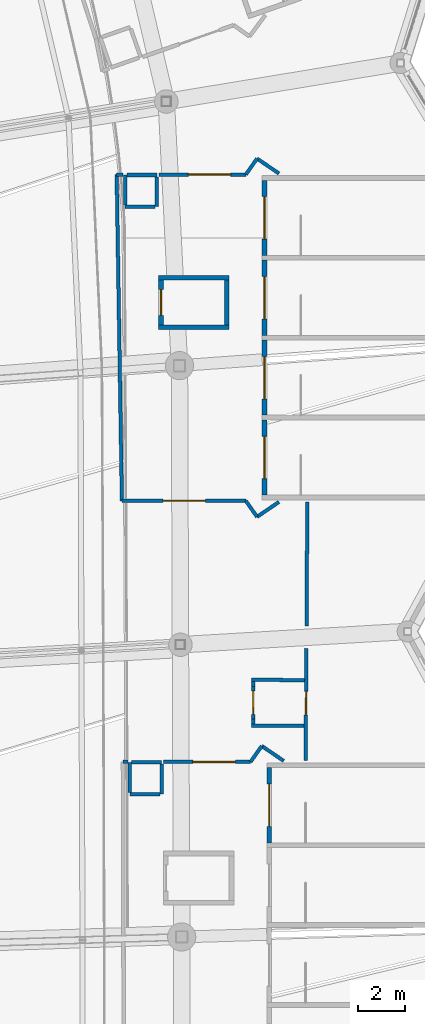
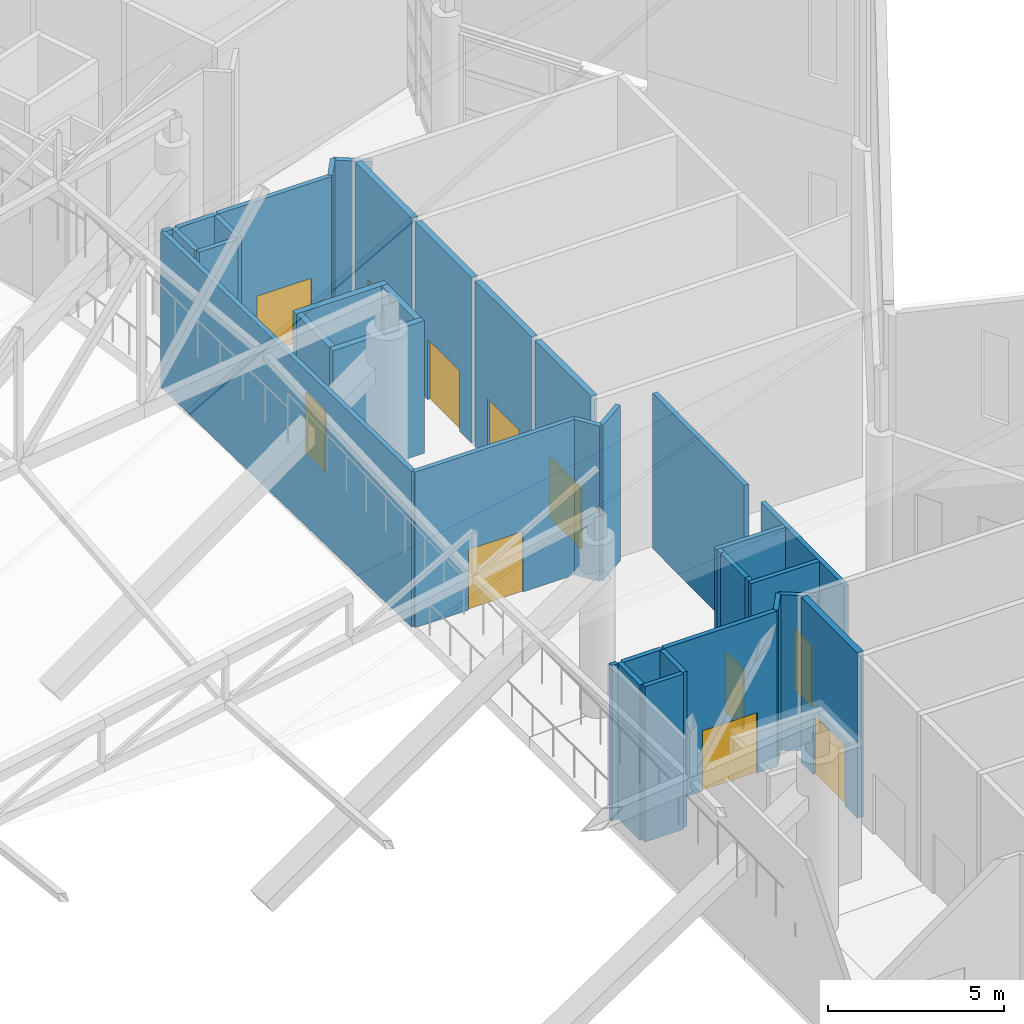
# One storey, part 269 of 344: 36 walls, 11 doors, 11 openings.
"""IFC4 building model written with IfcOpenShell, lengths in metres."""

from ifc_helpers import new_model, si_unit, direction, frame, frame_2d, origin, place, context, subcontext, project, spatial, rectangle, extrude, material, layer, layer_set, type_object, element, fill, save


model = new_model("IFC4")

# Units and contexts
model_context = context("Model", 3, precision=1e-05, world=origin(), true_north=direction((0.0, 1.0)))
body_context = subcontext(model_context, "Body", "Model", "MODEL_VIEW")
ifc_project = project(units=[si_unit("LENGTHUNIT", "METRE"), si_unit("AREAUNIT", "SQUARE_METRE"), si_unit("VOLUMEUNIT", "CUBIC_METRE"), si_unit("PLANEANGLEUNIT", "RADIAN"), si_unit("MASSUNIT", "GRAM", prefix="KILO")], contexts=[model_context])

# Site, building, storey
site_placement = place(None, origin())
site = spatial("IfcSite", under=ifc_project, at=site_placement, CompositionType="ELEMENT")
building_placement = place(site_placement, origin())
building = spatial("IfcBuilding", under=site, at=building_placement, Name="Meseta Stadium", CompositionType="ELEMENT")
storey_placement = place(building_placement, frame((0.0, 0.0, 24.0)))
storey = spatial("IfcBuildingStorey", under=building, at=storey_placement, Name="L04", CompositionType="ELEMENT", Elevation=24.0)

# Wall, opening, door
ifc_material_1 = material(Name="Concrete C40/50", Category="concrete")
ifc_layer_1 = layer(ifc_material_1, 0.199951171875)
ifc_layer_set_1 = layer_set([ifc_layer_1], Name="Core shaft wall 200")
wall_type_1 = type_object("IfcWallType", Name="Core shaft wall 200", PredefinedType="SHEAR", material=ifc_layer_set_1)
wall_1_placement = place(storey_placement, frame((88.699951171875, 22.25, 0.0), z_axis=(0.0, 0.0, 1.0), x_axis=(0.0, 1.0, 0.0)))
wall_1 = element("IfcWall", 1, at=wall_1_placement, inside=storey, type_object=wall_type_1, Name="Core 04 L04 stair B2 inner end wall", PredefinedType="SHEAR", context=body_context, shape_type="SweptSolid", body=[
    extrude(rectangle(XDim=3.199951171875, YDim=0.199951171875, at=frame_2d((1.60009765625, 0.0))), origin(), (0.0, 0.0, 1.0), 5.75),
])
opening_1_placement = place(wall_1_placement, frame((0.699951171875, 0.0, 0.0)))
opening_1 = element("IfcOpeningElement", 2, at=opening_1_placement, cuts=wall_1, Name="Opening D1675", PredefinedType="OPENING", context=body_context, shape_type="SweptSolid", body=[
    extrude(rectangle(XDim=1.800048828125, YDim=2.10009765625, at=frame_2d((0.89990234375, 1.050048828125))), frame((0.0, 0.10986328125, 0.0), z_axis=(0.0, -1.0, 0.0), x_axis=(1.0, 0.0, 0.0)), (0.0, 0.0, 1.0), 0.219970703125),
])
ifc_material_2 = material(Name="Steel", Category="steel")
door_type_1 = type_object("IfcDoorType", Name="Stair door 1800x2100", OperationType="DOUBLE_DOOR_SINGLE_SWING", PredefinedType="DOOR", material=ifc_material_2)
door_1_placement = place(opening_1_placement, origin())
door_1 = element("IfcDoor", 3, at=door_1_placement, inside=storey, type_object=door_type_1, Name="Stair B2 door 04 L04", OperationType="DOUBLE_DOOR_SINGLE_SWING", OverallHeight=2.10009765625, OverallWidth=1.800048828125, PredefinedType="DOOR", context=body_context, shape_type="SweptSolid", body=[
    extrude(rectangle(XDim=1.800048828125, YDim=2.10009765625, at=frame_2d((0.89990234375, 1.050048828125))), frame((0.0, 0.02490234375, 0.0), z_axis=(0.0, -1.0, 0.0), x_axis=(1.0, 0.0, 0.0)), (0.0, 0.0, 1.0), 0.050048828125),
])
fill(opening_1, door_1)

wall_2_placement = place(storey_placement, frame((88.5, 37.050048828125, 0.0), z_axis=(0.0, 0.0, 1.0), x_axis=(0.0, 1.0, 0.0)))
wall_2 = element("IfcWall", 4, at=wall_2_placement, inside=storey, type_object=wall_type_1, Name="Core 05 L04 stair A1 inner end wall", PredefinedType="SHEAR", context=body_context, shape_type="SweptSolid", body=[
    extrude(rectangle(XDim=3.199951171875, YDim=0.199951171875, at=frame_2d((1.60009765625, 0.0))), origin(), (0.0, 0.0, 1.0), 5.75),
])
opening_2_placement = place(wall_2_placement, frame((0.699951171875, 0.0, 0.0)))
opening_2 = element("IfcOpeningElement", 5, at=opening_2_placement, cuts=wall_2, Name="Opening D1660", PredefinedType="OPENING", context=body_context, shape_type="SweptSolid", body=[
    extrude(rectangle(XDim=1.800048828125, YDim=2.10009765625, at=frame_2d((0.89990234375, 1.050048828125))), frame((0.0, 0.10986328125, 0.0), z_axis=(0.0, -1.0, 0.0), x_axis=(1.0, 0.0, 0.0)), (0.0, 0.0, 1.0), 0.219970703125),
])
door_2_placement = place(opening_2_placement, origin())
door_2 = element("IfcDoor", 6, at=door_2_placement, inside=storey, type_object=door_type_1, Name="Stair A1 door 05 L04", OperationType="DOUBLE_DOOR_SINGLE_SWING", OverallHeight=2.10009765625, OverallWidth=1.800048828125, PredefinedType="DOOR", context=body_context, shape_type="SweptSolid", body=[
    extrude(rectangle(XDim=1.800048828125, YDim=2.10009765625, at=frame_2d((0.89990234375, 1.050048828125))), frame((0.0, 0.02490234375, 0.0), z_axis=(0.0, -1.0, 0.0), x_axis=(1.0, 0.0, 0.0)), (0.0, 0.0, 1.0), 0.050048828125),
])
fill(opening_2, door_2)

wall_3_placement = place(storey_placement, frame((88.5, 40.449951171875, 0.0), z_axis=(0.0, 0.0, 1.0), x_axis=(0.0, 1.0, 0.0)))
wall_3 = element("IfcWall", 7, at=wall_3_placement, inside=storey, type_object=wall_type_1, Name="Core 05 L04 stair A2 inner end wall", PredefinedType="SHEAR", context=body_context, shape_type="SweptSolid", body=[
    extrude(rectangle(XDim=3.199951171875, YDim=0.199951171875, at=frame_2d((1.60009765625, 0.0))), origin(), (0.0, 0.0, 1.0), 5.75),
])
opening_3_placement = place(wall_3_placement, frame((0.699951171875, 0.0, 0.0)))
opening_3 = element("IfcOpeningElement", 8, at=opening_3_placement, cuts=wall_3, Name="Opening D1661", PredefinedType="OPENING", context=body_context, shape_type="SweptSolid", body=[
    extrude(rectangle(XDim=1.800048828125, YDim=2.10009765625, at=frame_2d((0.89990234375, 1.050048828125))), frame((0.0, 0.10986328125, 0.0), z_axis=(0.0, -1.0, 0.0), x_axis=(1.0, 0.0, 0.0)), (0.0, 0.0, 1.0), 0.219970703125),
])
door_3_placement = place(opening_3_placement, origin())
door_3 = element("IfcDoor", 9, at=door_3_placement, inside=storey, type_object=door_type_1, Name="Stair A2 door 05 L04", OperationType="DOUBLE_DOOR_SINGLE_SWING", OverallHeight=2.10009765625, OverallWidth=1.800048828125, PredefinedType="DOOR", context=body_context, shape_type="SweptSolid", body=[
    extrude(rectangle(XDim=1.800048828125, YDim=2.10009765625, at=frame_2d((0.89990234375, 1.050048828125))), frame((0.0, 0.02490234375, 0.0), z_axis=(0.0, -1.0, 0.0), x_axis=(1.0, 0.0, 0.0)), (0.0, 0.0, 1.0), 0.050048828125),
])
fill(opening_3, door_3)

wall_4_placement = place(storey_placement, frame((88.5, 43.85009765625, 0.0), z_axis=(0.0, 0.0, 1.0), x_axis=(0.0, 1.0, 0.0)))
wall_4 = element("IfcWall", 10, at=wall_4_placement, inside=storey, type_object=wall_type_1, Name="Core 05 L04 stair B1 inner end wall", PredefinedType="SHEAR", context=body_context, shape_type="SweptSolid", body=[
    extrude(rectangle(XDim=3.199951171875, YDim=0.199951171875, at=frame_2d((1.60009765625, 0.0))), origin(), (0.0, 0.0, 1.0), 5.75),
])
opening_4_placement = place(wall_4_placement, frame((0.699951171875, 0.0, 0.0)))
opening_4 = element("IfcOpeningElement", 11, at=opening_4_placement, cuts=wall_4, Name="Opening D1662", PredefinedType="OPENING", context=body_context, shape_type="SweptSolid", body=[
    extrude(rectangle(XDim=1.800048828125, YDim=2.10009765625, at=frame_2d((0.89990234375, 1.050048828125))), frame((0.0, 0.10986328125, 0.0), z_axis=(0.0, -1.0, 0.0), x_axis=(1.0, 0.0, 0.0)), (0.0, 0.0, 1.0), 0.219970703125),
])
door_4_placement = place(opening_4_placement, origin())
door_4 = element("IfcDoor", 12, at=door_4_placement, inside=storey, type_object=door_type_1, Name="Stair B1 door 05 L04", OperationType="DOUBLE_DOOR_SINGLE_SWING", OverallHeight=2.10009765625, OverallWidth=1.800048828125, PredefinedType="DOOR", context=body_context, shape_type="SweptSolid", body=[
    extrude(rectangle(XDim=1.800048828125, YDim=2.10009765625, at=frame_2d((0.89990234375, 1.050048828125))), frame((0.0, 0.02490234375, 0.0), z_axis=(0.0, -1.0, 0.0), x_axis=(1.0, 0.0, 0.0)), (0.0, 0.0, 1.0), 0.050048828125),
])
fill(opening_4, door_4)

wall_5_placement = place(storey_placement, frame((88.5, 47.25, 0.0), z_axis=(0.0, 0.0, 1.0), x_axis=(0.0, 1.0, 0.0)))
wall_5 = element("IfcWall", 13, at=wall_5_placement, inside=storey, type_object=wall_type_1, Name="Core 05 L04 stair B2 inner end wall", PredefinedType="SHEAR", context=body_context, shape_type="SweptSolid", body=[
    extrude(rectangle(XDim=3.199951171875, YDim=0.199951171875, at=frame_2d((1.60009765625, 0.0))), origin(), (0.0, 0.0, 1.0), 5.75),
])
opening_5_placement = place(wall_5_placement, frame((0.699951171875, 0.0, 0.0)))
opening_5 = element("IfcOpeningElement", 14, at=opening_5_placement, cuts=wall_5, Name="Opening D1663", PredefinedType="OPENING", context=body_context, shape_type="SweptSolid", body=[
    extrude(rectangle(XDim=1.800048828125, YDim=2.10009765625, at=frame_2d((0.89990234375, 1.050048828125))), frame((0.0, 0.10986328125, 0.0), z_axis=(0.0, -1.0, 0.0), x_axis=(1.0, 0.0, 0.0)), (0.0, 0.0, 1.0), 0.219970703125),
])
door_5_placement = place(opening_5_placement, origin())
door_5 = element("IfcDoor", 15, at=door_5_placement, inside=storey, type_object=door_type_1, Name="Stair B2 door 05 L04", OperationType="DOUBLE_DOOR_SINGLE_SWING", OverallHeight=2.10009765625, OverallWidth=1.800048828125, PredefinedType="DOOR", context=body_context, shape_type="SweptSolid", body=[
    extrude(rectangle(XDim=1.800048828125, YDim=2.10009765625, at=frame_2d((0.89990234375, 1.050048828125))), frame((0.0, 0.02490234375, 0.0), z_axis=(0.0, -1.0, 0.0), x_axis=(1.0, 0.0, 0.0)), (0.0, 0.0, 1.0), 0.050048828125),
])
fill(opening_5, door_5)

# Walls
for number, where, z_axis, x_axis, name in (
    (16, (87.0, 44.199951171875, 0.0), (0.0, 0.0, 1.0), (-1.0, 0.0, 0.0), "Core 05 L04 lift shaft wall left"),
    (17, (87.0, 46.300048828125, 0.0), (0.0, 0.0, 1.0), (-1.0, 0.0, 0.0), "Core 05 L04 lift shaft wall right"),
):
    element("IfcWall", number, at=place(storey_placement, frame(where, z_axis=z_axis, x_axis=x_axis)), inside=storey, type_object=wall_type_1, Name=name, PredefinedType="SHEAR", context=body_context, shape_type="SweptSolid", body=[
        extrude(rectangle(XDim=3.0, YDim=0.199951171875, at=frame_2d((1.5, 0.0))), origin(), (0.0, 0.0, 1.0), 4.60009765625),
    ])
wall_6_placement = place(storey_placement, frame((86.89990234375, 44.300048828125, 0.0), z_axis=(0.0, 0.0, 1.0), x_axis=(0.0, 1.0, 0.0)))
element("IfcWall", 18, at=wall_6_placement, inside=storey, type_object=wall_type_1, Name="Core 05 L04 lift shaft back wall", PredefinedType="SHEAR", context=body_context, shape_type="SweptSolid", body=[
    extrude(rectangle(XDim=1.89990234375, YDim=0.199951171875, at=frame_2d((0.949951171875, 0.0))), origin(), (0.0, 0.0, 1.0), 4.60009765625),
])

# Wall, opening, door
wall_7_placement = place(storey_placement, frame((84.10009765625, 44.300048828125, 0.0), z_axis=(0.0, 0.0, 1.0), x_axis=(0.0, 1.0, 0.0)))
wall_7 = element("IfcWall", 19, at=wall_7_placement, inside=storey, type_object=wall_type_1, Name="Core 05 L04 lift shaft front wall", PredefinedType="SHEAR", context=body_context, shape_type="SweptSolid", body=[
    extrude(rectangle(XDim=1.89990234375, YDim=0.199951171875, at=frame_2d((0.949951171875, 0.0))), origin(), (0.0, 0.0, 1.0), 4.60009765625),
])
opening_6_placement = place(wall_7_placement, frame((0.39990234375, 0.0, 0.0)))
opening_6 = element("IfcOpeningElement", 20, at=opening_6_placement, cuts=wall_7, Name="Opening LD30", PredefinedType="OPENING", context=body_context, shape_type="SweptSolid", body=[
    extrude(rectangle(XDim=1.10009765625, YDim=2.10009765625, at=frame_2d((0.550048828125, 1.050048828125))), frame((0.0, 0.10986328125, 0.0), z_axis=(0.0, -1.0, 0.0), x_axis=(1.0, 0.0, 0.0)), (0.0, 0.0, 1.0), 0.219970703125),
])
ifc_material_3 = material(Name="Steel", Category="steel")
door_type_2 = type_object("IfcDoorType", Name="Lift landing door 1100x2100", OperationType="SLIDING_TO_LEFT", PredefinedType="DOOR", material=ifc_material_3)
door_6_placement = place(opening_6_placement, origin())
door_6 = element("IfcDoor", 21, at=door_6_placement, inside=storey, type_object=door_type_2, Name="Lift landing door LD30", OperationType="SLIDING_TO_RIGHT", OverallHeight=2.10009765625, OverallWidth=1.10009765625, PredefinedType="DOOR", context=body_context, shape_type="SweptSolid", body=[
    extrude(rectangle(XDim=1.10009765625, YDim=2.10009765625, at=frame_2d((0.550048828125, 1.050048828125))), frame((0.0, 0.02490234375, 0.0), z_axis=(0.0, -1.0, 0.0), x_axis=(1.0, 0.0, 0.0)), (0.0, 0.0, 1.0), 0.050048828125),
])
fill(opening_6, door_6)

ifc_material_4 = material(Name="Masonry blockwork", Category="masonry")
ifc_layer_2 = layer(ifc_material_4, 0.14990234375)
ifc_layer_set_2 = layer_set([ifc_layer_2], Name="Partition 150")
wall_type_2 = type_object("IfcWallType", Name="Partition 150", PredefinedType="PARTITIONING", material=ifc_layer_set_2)
wall_8_placement = place(storey_placement, frame((90.25634765625, 25.75, 0.0), z_axis=(0.0, 0.0, 1.0), x_axis=(0.006329633282, 0.999979967671, 0.0)))
wall_8 = element("IfcWall", 22, at=wall_8_placement, inside=storey, type_object=wall_type_2, Name="Partition L04 L04-cell03-1-0", PredefinedType="PARTITIONING", context=body_context, shape_type="SweptSolid", body=[
    extrude(rectangle(XDim=4.78271484375, YDim=0.14990234375, at=frame_2d((2.391357421875, 0.0))), origin(), (0.0, 0.0, 1.0), 5.39990234375),
])
opening_7_placement = place(wall_8_placement, frame((1.949951171875, 0.0, 0.0)))
opening_7 = element("IfcOpeningElement", 23, at=opening_7_placement, cuts=wall_8, Name="Opening D1676", PredefinedType="OPENING", context=body_context, shape_type="SweptSolid", body=[
    extrude(rectangle(XDim=1.0, YDim=2.10009765625, at=frame_2d((0.5, 1.050048828125))), frame((0.0, 0.0849609375, 0.0), z_axis=(0.0, -1.0, 0.0), x_axis=(1.0, 0.0, 0.0)), (0.0, 0.0, 1.0), 0.169921875),
])
ifc_material_5 = material(Name="Steel", Category="steel")
door_type_3 = type_object("IfcDoorType", Name="Fire door 1000x2100 EI2 60", OperationType="NOTDEFINED", PredefinedType="DOOR", material=ifc_material_5)
door_7_placement = place(opening_7_placement, origin())
door_7 = element("IfcDoor", 24, at=door_7_placement, inside=storey, type_object=door_type_3, Name="Room door L04 L04-cell03-1-0", OperationType="SINGLE_SWING_LEFT", OverallHeight=2.10009765625, OverallWidth=1.0, PredefinedType="DOOR", context=body_context, shape_type="SweptSolid", body=[
    extrude(rectangle(XDim=1.0, YDim=2.10009765625, at=frame_2d((0.5, 1.050048828125))), frame((0.0, 0.02490234375, 0.0), z_axis=(0.0, -1.0, 0.0), x_axis=(1.0, 0.0, 0.0)), (0.0, 0.0, 1.0), 0.050048828125),
])
fill(opening_7, door_7)

# Walls
wall_9_placement = place(storey_placement, frame((90.29248046875, 31.489013671875, 0.0), z_axis=(0.0, 0.0, 1.0), x_axis=(0.006357475121, 0.999979791051, 0.0)))
element("IfcWall", 25, at=wall_9_placement, inside=storey, type_object=wall_type_2, Name="Partition L04 L04-cell03-1-0", PredefinedType="PARTITIONING", context=body_context, shape_type="SweptSolid", body=[
    extrude(rectangle(XDim=5.260986328125, YDim=0.14990234375, at=frame_2d((2.63037109375, 0.0))), origin(), (0.0, 0.0, 1.0), 5.39990234375),
])
wall_10_placement = place(storey_placement, frame((84.125, 24.324951171875, 0.0), z_axis=(0.0, 0.0, 1.0), x_axis=(0.0, 1.0, 0.0)))
element("IfcWall", 26, at=wall_10_placement, inside=storey, type_object=wall_type_2, Name="Pressurisation shaft wall L04 core 04", PredefinedType="PARTITIONING", context=body_context, shape_type="SweptSolid", body=[
    extrude(rectangle(XDim=1.275146484375, YDim=0.14990234375, at=frame_2d((0.6376953125, 0.0))), origin(), (0.0, 0.0, 1.0), 5.39990234375),
])
wall_11_placement = place(storey_placement, frame((84.125, 25.675048828125, 0.0), z_axis=(0.0, 0.0, 1.0), x_axis=(-1.0, 0.0, 0.0)))
element("IfcWall", 27, at=wall_11_placement, inside=storey, type_object=wall_type_2, Name="Pressurisation shaft wall L04 core 04", PredefinedType="PARTITIONING", context=body_context, shape_type="SweptSolid", body=[
    extrude(rectangle(XDim=1.27490234375, YDim=0.14990234375, at=frame_2d((0.637451171875, 0.0))), origin(), (0.0, 0.0, 1.0), 5.39990234375),
])
for number, where, z_axis, x_axis, name in (
    (28, (82.77490234375, 25.675048828125, 0.0), (0.0, 0.0, 1.0), (0.0, -1.0, 0.0), "Pressurisation shaft wall L04 core 04"),
    (29, (82.77490234375, 24.324951171875, 0.0), (0.0, 0.0, 1.0), (1.0, 0.0, 0.0), "Pressurisation shaft wall L04 core 04"),
):
    element("IfcWall", number, at=place(storey_placement, frame(where, z_axis=z_axis, x_axis=x_axis)), inside=storey, type_object=wall_type_2, Name=name, PredefinedType="PARTITIONING", context=body_context, shape_type="SweptSolid", body=[
        extrude(rectangle(XDim=1.275146484375, YDim=0.14990234375, at=frame_2d((0.6376953125, 0.0))), origin(), (0.0, 0.0, 1.0), 5.39990234375),
    ])
wall_12_placement = place(storey_placement, frame((89.319580078125, 25.739501953125, 0.0), z_axis=(0.0, 0.0, 1.0), x_axis=(-0.827055308354, 0.562120553728, 0.0)))
element("IfcWall", 30, at=wall_12_placement, inside=storey, type_object=wall_type_2, Name="Stair vestibule wall L04 core 04", PredefinedType="PARTITIONING", context=body_context, shape_type="SweptSolid", body=[
    extrude(rectangle(XDim=1.1279296875, YDim=0.14990234375, at=frame_2d((0.56396484375, 0.0))), origin(), (0.0, 0.0, 1.0), 5.39990234375),
])
wall_13_placement = place(storey_placement, frame((88.38671875, 26.37353515625, 0.0), z_axis=(0.0, 0.0, 1.0), x_axis=(-0.575376756214, -0.817888493872, 0.0)))
element("IfcWall", 31, at=wall_13_placement, inside=storey, type_object=wall_type_2, Name="Stair vestibule wall L04 core 04", PredefinedType="PARTITIONING", context=body_context, shape_type="SweptSolid", body=[
    extrude(rectangle(XDim=0.82958984375, YDim=0.14990234375, at=frame_2d((0.414794921875, 0.0))), origin(), (0.0, 0.0, 1.0), 5.39990234375),
])

# Wall, opening, door
wall_14_placement = place(storey_placement, frame((87.909423828125, 25.695068359375, 0.0), z_axis=(0.0, 0.0, 1.0), x_axis=(-1.0, 0.0, 0.0)))
wall_14 = element("IfcWall", 32, at=wall_14_placement, inside=storey, type_object=wall_type_2, Name="Stair vestibule wall L04 core 04", PredefinedType="PARTITIONING", context=body_context, shape_type="SweptSolid", body=[
    extrude(rectangle(XDim=3.70361328125, YDim=0.14990234375, at=frame_2d((1.851806640625, 0.0))), origin(), (0.0, 0.0, 1.0), 5.39990234375),
])
opening_8_placement = place(wall_14_placement, frame((0.64990234375, 0.0, 0.0)))
opening_8 = element("IfcOpeningElement", 33, at=opening_8_placement, cuts=wall_14, Name="Opening D1651", PredefinedType="OPENING", context=body_context, shape_type="SweptSolid", body=[
    extrude(rectangle(XDim=1.800048828125, YDim=2.10009765625, at=frame_2d((0.89990234375, 1.050048828125))), frame((0.0, 0.0849609375, 0.0), z_axis=(0.0, -1.0, 0.0), x_axis=(1.0, 0.0, 0.0)), (0.0, 0.0, 1.0), 0.169921875),
])
ifc_material_6 = material(Name="Steel", Category="steel")
door_type_4 = type_object("IfcDoorType", Name="Fire double door 1800x2100 EI2 60", OperationType="DOUBLE_DOOR_SINGLE_SWING", PredefinedType="DOOR", material=ifc_material_6)
door_8_placement = place(opening_8_placement, origin())
door_8 = element("IfcDoor", 34, at=door_8_placement, inside=storey, type_object=door_type_4, Name="Stair vestibule door L04 core 04", OperationType="DOUBLE_DOOR_SINGLE_SWING", OverallHeight=2.10009765625, OverallWidth=1.800048828125, PredefinedType="DOOR", context=body_context, shape_type="SweptSolid", body=[
    extrude(rectangle(XDim=1.800048828125, YDim=2.10009765625, at=frame_2d((0.89990234375, 1.050048828125))), frame((0.0, 0.02490234375, 0.0), z_axis=(0.0, -1.0, 0.0), x_axis=(1.0, 0.0, 0.0)), (0.0, 0.0, 1.0), 0.050048828125),
])
fill(opening_8, door_8)

# Walls
wall_15_placement = place(storey_placement, frame((82.68994140625, 25.695068359375, 0.0), z_axis=(0.0, 0.0, 1.0), x_axis=(-1.0, 0.0, 0.0)))
element("IfcWall", 35, at=wall_15_placement, inside=storey, type_object=wall_type_2, Name="Stair vestibule wall L04 core 04", PredefinedType="PARTITIONING", context=body_context, shape_type="SweptSolid", body=[
    extrude(rectangle(XDim=0.20947265625, YDim=0.14990234375, at=frame_2d((0.104736328125, 0.0))), origin(), (0.0, 0.0, 1.0), 5.39990234375),
])
for number, where, z_axis, x_axis, name in (
    (36, (83.925048828125, 49.324951171875, 0.0), (0.0, 0.0, 1.0), (0.0, 1.0, 0.0), "Pressurisation shaft wall L04 core 05"),
    (37, (83.925048828125, 50.675048828125, 0.0), (0.0, 0.0, 1.0), (-1.0, 0.0, 0.0), "Pressurisation shaft wall L04 core 05"),
    (38, (82.574951171875, 50.675048828125, 0.0), (0.0, 0.0, 1.0), (0.0, -1.0, 0.0), "Pressurisation shaft wall L04 core 05"),
    (39, (82.574951171875, 49.324951171875, 0.0), (0.0, 0.0, 1.0), (1.0, 0.0, 0.0), "Pressurisation shaft wall L04 core 05"),
):
    element("IfcWall", number, at=place(storey_placement, frame(where, z_axis=z_axis, x_axis=x_axis)), inside=storey, type_object=wall_type_2, Name=name, PredefinedType="PARTITIONING", context=body_context, shape_type="SweptSolid", body=[
        extrude(rectangle(XDim=1.275146484375, YDim=0.14990234375, at=frame_2d((0.6376953125, 0.0))), origin(), (0.0, 0.0, 1.0), 5.39990234375),
    ])
wall_16_placement = place(storey_placement, frame((89.11962890625, 50.739501953125, 0.0), z_axis=(0.0, 0.0, 1.0), x_axis=(-0.827055308354, 0.562120553728, 0.0)))
element("IfcWall", 40, at=wall_16_placement, inside=storey, type_object=wall_type_2, Name="Stair vestibule wall L04 core 05", PredefinedType="PARTITIONING", context=body_context, shape_type="SweptSolid", body=[
    extrude(rectangle(XDim=1.1279296875, YDim=0.14990234375, at=frame_2d((0.56396484375, 0.0))), origin(), (0.0, 0.0, 1.0), 5.39990234375),
])
wall_17_placement = place(storey_placement, frame((88.186767578125, 51.37353515625, 0.0), z_axis=(0.0, 0.0, 1.0), x_axis=(-0.575376756214, -0.817888493872, 0.0)))
element("IfcWall", 41, at=wall_17_placement, inside=storey, type_object=wall_type_2, Name="Stair vestibule wall L04 core 05", PredefinedType="PARTITIONING", context=body_context, shape_type="SweptSolid", body=[
    extrude(rectangle(XDim=0.82958984375, YDim=0.14990234375, at=frame_2d((0.414794921875, 0.0))), origin(), (0.0, 0.0, 1.0), 5.39990234375),
])

# Wall, opening, door
wall_18_placement = place(storey_placement, frame((87.70947265625, 50.695068359375, 0.0), z_axis=(0.0, 0.0, 1.0), x_axis=(-1.0, 0.0, 0.0)))
wall_18 = element("IfcWall", 42, at=wall_18_placement, inside=storey, type_object=wall_type_2, Name="Stair vestibule wall L04 core 05", PredefinedType="PARTITIONING", context=body_context, shape_type="SweptSolid", body=[
    extrude(rectangle(XDim=3.70361328125, YDim=0.14990234375, at=frame_2d((1.851806640625, 0.0))), origin(), (0.0, 0.0, 1.0), 5.39990234375),
])
opening_9_placement = place(wall_18_placement, frame((0.64990234375, 0.0, 0.0)))
opening_9 = element("IfcOpeningElement", 43, at=opening_9_placement, cuts=wall_18, Name="Opening D1647", PredefinedType="OPENING", context=body_context, shape_type="SweptSolid", body=[
    extrude(rectangle(XDim=1.800048828125, YDim=2.10009765625, at=frame_2d((0.89990234375, 1.050048828125))), frame((0.0, 0.0849609375, 0.0), z_axis=(0.0, -1.0, 0.0), x_axis=(1.0, 0.0, 0.0)), (0.0, 0.0, 1.0), 0.169921875),
])
door_9_placement = place(opening_9_placement, origin())
door_9 = element("IfcDoor", 44, at=door_9_placement, inside=storey, type_object=door_type_4, Name="Stair vestibule door L04 core 05", OperationType="DOUBLE_DOOR_SINGLE_SWING", OverallHeight=2.10009765625, OverallWidth=1.800048828125, PredefinedType="DOOR", context=body_context, shape_type="SweptSolid", body=[
    extrude(rectangle(XDim=1.800048828125, YDim=2.10009765625, at=frame_2d((0.89990234375, 1.050048828125))), frame((0.0, 0.02490234375, 0.0), z_axis=(0.0, -1.0, 0.0), x_axis=(1.0, 0.0, 0.0)), (0.0, 0.0, 1.0), 0.050048828125),
])
fill(opening_9, door_9)

# Walls
wall_19_placement = place(storey_placement, frame((82.489990234375, 50.695068359375, 0.0), z_axis=(0.0, 0.0, 1.0), x_axis=(-1.0, 0.0, 0.0)))
element("IfcWall", 45, at=wall_19_placement, inside=storey, type_object=wall_type_2, Name="Stair vestibule wall L04 core 05", PredefinedType="PARTITIONING", context=body_context, shape_type="SweptSolid", body=[
    extrude(rectangle(XDim=0.278076171875, YDim=0.14990234375, at=frame_2d((0.13916015625, 0.0))), origin(), (0.0, 0.0, 1.0), 5.39990234375),
])
wall_20_placement = place(storey_placement, frame((82.2119140625, 50.695068359375, 0.0), z_axis=(0.0, 0.0, 1.0), x_axis=(0.01602775075, -0.999871547353, 0.0)))
element("IfcWall", 46, at=wall_20_placement, inside=storey, type_object=wall_type_2, Name="Stair vestibule wall L04 core 05", PredefinedType="PARTITIONING", context=body_context, shape_type="SweptSolid", body=[
    extrude(rectangle(XDim=13.891845703125, YDim=0.14990234375, at=frame_2d((6.94580078125, 0.0))), origin(), (0.0, 0.0, 1.0), 5.39990234375),
])

# Wall, opening, door
wall_21_placement = place(storey_placement, frame((82.4345703125, 36.804931640625, 0.0), z_axis=(0.0, 0.0, 1.0), x_axis=(1.0, 0.0, 0.0)))
wall_21 = element("IfcWall", 47, at=wall_21_placement, inside=storey, type_object=wall_type_2, Name="Stair vestibule wall L04 core 05", PredefinedType="PARTITIONING", context=body_context, shape_type="SweptSolid", body=[
    extrude(rectangle(XDim=5.274658203125, YDim=0.14990234375, at=frame_2d((2.63720703125, 0.0))), origin(), (0.0, 0.0, 1.0), 5.39990234375),
])
opening_10_placement = place(wall_21_placement, frame((1.75, 0.0, 0.0)))
opening_10 = element("IfcOpeningElement", 48, at=opening_10_placement, cuts=wall_21, Name="Opening D1642", PredefinedType="OPENING", context=body_context, shape_type="SweptSolid", body=[
    extrude(rectangle(XDim=1.800048828125, YDim=2.10009765625, at=frame_2d((0.89990234375, 1.050048828125))), frame((0.0, 0.0849609375, 0.0), z_axis=(0.0, -1.0, 0.0), x_axis=(1.0, 0.0, 0.0)), (0.0, 0.0, 1.0), 0.169921875),
])
door_10_placement = place(opening_10_placement, origin())
door_10 = element("IfcDoor", 49, at=door_10_placement, inside=storey, type_object=door_type_4, Name="Stair vestibule door L04 core 05", OperationType="DOUBLE_DOOR_SINGLE_SWING", OverallHeight=2.10009765625, OverallWidth=1.800048828125, PredefinedType="DOOR", context=body_context, shape_type="SweptSolid", body=[
    extrude(rectangle(XDim=1.800048828125, YDim=2.10009765625, at=frame_2d((0.89990234375, 1.050048828125))), frame((0.0, 0.02490234375, 0.0), z_axis=(0.0, -1.0, 0.0), x_axis=(1.0, 0.0, 0.0)), (0.0, 0.0, 1.0), 0.050048828125),
])
fill(opening_10, door_10)

# Walls
wall_22_placement = place(storey_placement, frame((87.709228515625, 36.804931640625, 0.0), z_axis=(0.0, 0.0, 1.0), x_axis=(0.575573582652, -0.81774999294, 0.0)))
element("IfcWall", 50, at=wall_22_placement, inside=storey, type_object=wall_type_2, Name="Stair vestibule wall L04 core 05", PredefinedType="PARTITIONING", context=body_context, shape_type="SweptSolid", body=[
    extrude(rectangle(XDim=0.82958984375, YDim=0.14990234375, at=frame_2d((0.414794921875, 0.0))), origin(), (0.0, 0.0, 1.0), 5.39990234375),
])
wall_23_placement = place(storey_placement, frame((88.186767578125, 36.12646484375, 0.0), z_axis=(0.0, 0.0, 1.0), x_axis=(0.827055308354, 0.562120553728, 0.0)))
element("IfcWall", 51, at=wall_23_placement, inside=storey, type_object=wall_type_2, Name="Stair vestibule wall L04 core 05", PredefinedType="PARTITIONING", context=body_context, shape_type="SweptSolid", body=[
    extrude(rectangle(XDim=1.1279296875, YDim=0.14990234375, at=frame_2d((0.56396484375, 0.0))), origin(), (0.0, 0.0, 1.0), 5.39990234375),
])
for number, where, z_axis, x_axis, name in (
    (52, (90.190673828125, 27.225341796875, 0.0), (0.0, 0.0, 1.0), (-0.999979508406, 0.006401778537, 0.0), "Partition L04 L04-cell03-1-0 vestibule"),
    (53, (90.202880859375, 29.17529296875, 0.0), (0.0, 0.0, 1.0), (-0.999979508406, 0.006401778537, 0.0), "Partition L04 L04-cell03-1-0 vestibule"),
):
    element("IfcWall", number, at=place(storey_placement, frame(where, z_axis=z_axis, x_axis=x_axis)), inside=storey, type_object=wall_type_2, Name=name, PredefinedType="PARTITIONING", context=body_context, shape_type="SweptSolid", body=[
        extrude(rectangle(XDim=2.25, YDim=0.14990234375, at=frame_2d((1.125, 0.0))), origin(), (0.0, 0.0, 1.0), 5.39990234375),
    ])
wall_24_placement = place(storey_placement, frame((88.01611328125, 27.314208984375, 0.0), z_axis=(0.0, 0.0, 1.0), x_axis=(0.006104892338, 0.999981364971, 0.0)))
element("IfcWall", 54, at=wall_24_placement, inside=storey, type_object=wall_type_2, Name="Partition L04 L04-cell03-1-0 vestibule", PredefinedType="PARTITIONING", context=body_context, shape_type="SweptSolid", body=[
    extrude(rectangle(XDim=0.199951171875, YDim=0.14990234375, at=frame_2d((0.10009765625, 0.0))), origin(), (0.0, 0.0, 1.0), 5.39990234375),
])

# Wall, opening, door
wall_25_placement = place(storey_placement, frame((88.017333984375, 27.51416015625, 0.0), z_axis=(0.0, 0.0, 1.0), x_axis=(0.006451478639, 0.999979188995, 0.0)))
wall_25 = element("IfcWall", 55, at=wall_25_placement, inside=storey, type_object=wall_type_2, Name="Partition L04 L04-cell03-1-0 vestibule", PredefinedType="PARTITIONING", context=body_context, shape_type="SweptSolid", body=[
    extrude(rectangle(XDim=1.400146484375, YDim=0.14990234375, at=frame_2d((0.7001953125, 0.0))), origin(), (0.0, 0.0, 1.0), 5.39990234375),
])
opening_11_placement = place(wall_25_placement, frame((0.199951171875, 0.0, 0.0)))
opening_11 = element("IfcOpeningElement", 56, at=opening_11_placement, cuts=wall_25, Name="Opening D1656", PredefinedType="OPENING", context=body_context, shape_type="SweptSolid", body=[
    extrude(rectangle(XDim=1.0, YDim=2.10009765625, at=frame_2d((0.5, 1.050048828125))), frame((0.0, 0.0849609375, 0.0), z_axis=(0.0, -1.0, 0.0), x_axis=(1.0, 0.0, 0.0)), (0.0, 0.0, 1.0), 0.169921875),
])
door_11_placement = place(opening_11_placement, origin())
door_11 = element("IfcDoor", 57, at=door_11_placement, inside=storey, type_object=door_type_3, Name="Vestibule door L04 L04-cell03-1-0", OperationType="SINGLE_SWING_RIGHT", OverallHeight=2.10009765625, OverallWidth=1.0, PredefinedType="DOOR", context=body_context, shape_type="SweptSolid", body=[
    extrude(rectangle(XDim=1.0, YDim=2.10009765625, at=frame_2d((0.5, 1.050048828125))), frame((0.0, 0.02490234375, 0.0), z_axis=(0.0, -1.0, 0.0), x_axis=(1.0, 0.0, 0.0)), (0.0, 0.0, 1.0), 0.050048828125),
])
fill(opening_11, door_11)

# Wall
wall_26_placement = place(storey_placement, frame((88.0263671875, 28.914306640625, 0.0), z_axis=(0.0, 0.0, 1.0), x_axis=(0.006104892338, 0.999981364971, 0.0)))
element("IfcWall", 58, at=wall_26_placement, inside=storey, type_object=wall_type_2, Name="Partition L04 L04-cell03-1-0 vestibule", PredefinedType="PARTITIONING", context=body_context, shape_type="SweptSolid", body=[
    extrude(rectangle(XDim=0.199951171875, YDim=0.14990234375, at=frame_2d((0.10009765625, 0.0))), origin(), (0.0, 0.0, 1.0), 5.39990234375),
])

save(model, "model.ifc")
